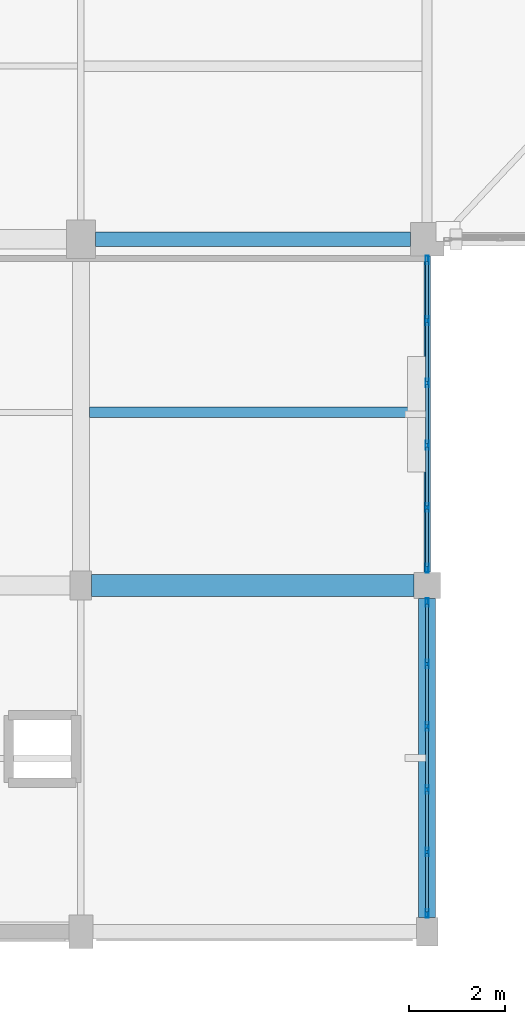
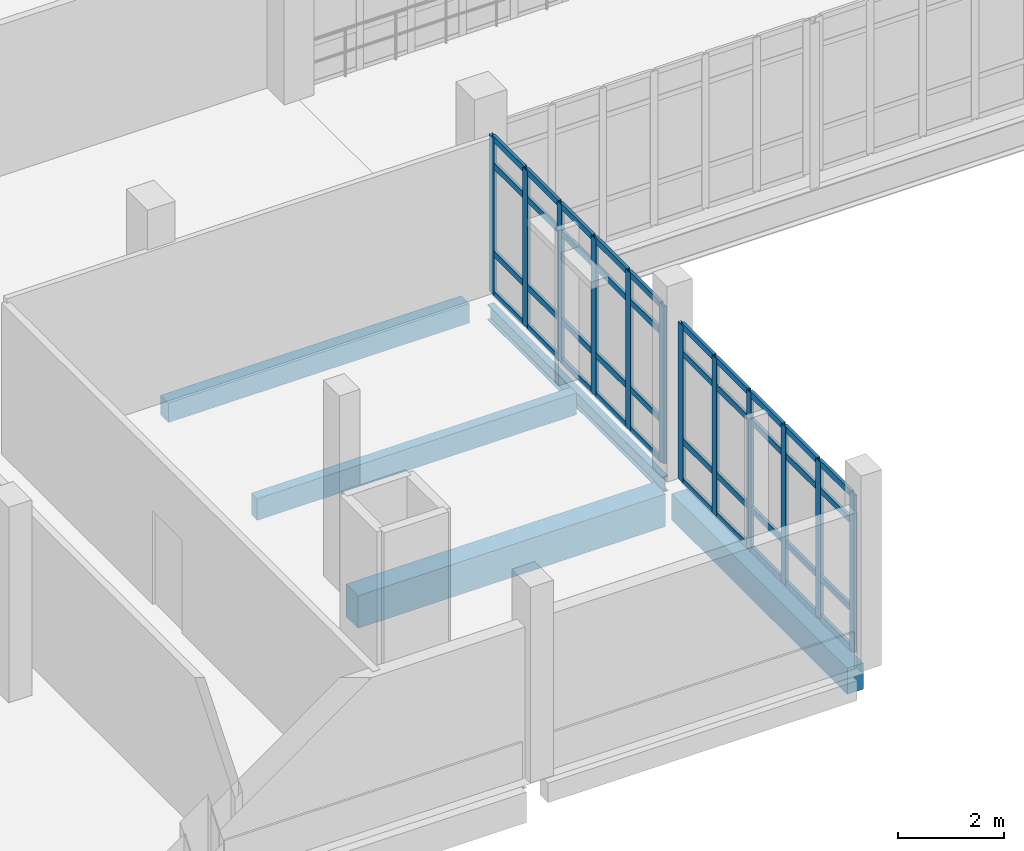
# One storey, part 13 of 116: 52 members, 5 beams, 2 elements without a shape of their own.
"""IFC4 building model written with IfcOpenShell, lengths in metres."""

from ifc_helpers import new_model, si_unit, direction, frame, origin, origin_2d, place, context, subcontext, project, spatial, rectangle, hollow_rectangle, i_section, extrude, material, material_profile, profile_set, type_object, element, aggregate, save


model = new_model("IFC4")

# Units and contexts
model_context = context("Model", 3, precision=1e-05, world=origin(), true_north=direction((0.0, 1.0)))
body_context = subcontext(model_context, "Body", "Model", "MODEL_VIEW")
ifc_project = project(units=[si_unit("LENGTHUNIT", "METRE"), si_unit("AREAUNIT", "SQUARE_METRE"), si_unit("VOLUMEUNIT", "CUBIC_METRE"), si_unit("PLANEANGLEUNIT", "RADIAN"), si_unit("MASSUNIT", "GRAM", prefix="KILO")], contexts=[model_context])

# Site, building, storey
site_placement = place(None, origin())
site = spatial("IfcSite", under=ifc_project, at=site_placement, CompositionType="ELEMENT")
building_placement = place(site_placement, origin())
building = spatial("IfcBuilding", under=site, at=building_placement, Name="Kalluvel Institute of Natural Sciences", CompositionType="ELEMENT")
storey_placement = place(building_placement, frame((0.0, 0.0, 14.39990234375)))
storey = spatial("IfcBuildingStorey", under=building, at=storey_placement, Name="L03", CompositionType="ELEMENT", Elevation=14.39990234375)

# Beams
ifc_material_1 = material(Name="Steel E350 Grade 350", Category="steel")
ifc_material_profile_1 = material_profile(ifc_material_1, i_section(OverallWidth=0.139892578125, OverallDepth=0.35009765625, WebThickness=0.008056640625, FlangeThickness=0.01416015625, FilletRadius=0.013916015625, at=origin_2d()), Name="ISMB 350")
ifc_profile_set_1 = profile_set([ifc_material_profile_1], Name="Steel E350 Grade 350")
beam_type_1 = type_object("IfcBeamType", Name="BM-ISMB350", PredefinedType="BEAM", material=ifc_profile_set_1)
beam_1_placement = place(storey_placement, frame((35.60009765625, 21.47509765625, -0.474853515625), z_axis=(0.0, 1.0, 0.0), x_axis=(-1.0, 0.0, 0.0)))
element("IfcBeam", 1, at=beam_1_placement, inside=storey, type_object=beam_type_1, Name="L03 girder GIR-L03-NS-X356-Y212", PredefinedType="BEAM", context=body_context, shape_type="SweptSolid", body=[
    extrude(i_section(OverallWidth=0.139892578125, OverallDepth=0.35009765625, WebThickness=0.008056640625, FlangeThickness=0.01416015625, FilletRadius=0.013916015625, at=origin_2d()), origin(), (0.0, 0.0, 1.0), 6.574951171875),
])
ifc_material_2 = material(Name="Concrete M40", Category="concrete")
ifc_material_profile_2 = material_profile(ifc_material_2, rectangle(XDim=0.35009765625, YDim=0.60009765625, at=origin_2d()), Name="RCB 350x600")
ifc_profile_set_2 = profile_set([ifc_material_profile_2], Name="Concrete M40")
beam_type_2 = type_object("IfcBeamType", Name="BM-RC350x600", PredefinedType="BEAM", material=ifc_profile_set_2)
beam_2_placement = place(storey_placement, frame((35.60009765625, 14.300048828125, -0.599853515625), z_axis=(0.0, 1.0, 0.0), x_axis=(-1.0, 0.0, 0.0)))
element("IfcBeam", 2, at=beam_2_placement, inside=storey, type_object=beam_type_2, Name="L03 girder GIR-L03-NS-X356-Y140", PredefinedType="BEAM", context=body_context, shape_type="SweptSolid", body=[
    extrude(rectangle(XDim=0.35009765625, YDim=0.60009765625, at=origin_2d()), origin(), (0.0, 0.0, 1.0), 6.625),
])
ifc_material_profile_3 = material_profile(ifc_material_2, rectangle(XDim=0.449951171875, YDim=0.75, at=origin_2d()), Name="RCB 450x750")
ifc_profile_set_3 = profile_set([ifc_material_profile_3], Name="Concrete M40")
beam_type_3 = type_object("IfcBeamType", Name="BM-RC450x750", PredefinedType="BEAM", material=ifc_profile_set_3)
beam_3_placement = place(storey_placement, frame((28.625, 21.199951171875, -0.6748046875), z_axis=(1.0, 0.0, 0.0), x_axis=(0.0, 1.0, 0.0)))
element("IfcBeam", 3, at=beam_3_placement, inside=storey, type_object=beam_type_3, Name="L03 girder GIR-L03-EW-X284-Y212", PredefinedType="BEAM", context=body_context, shape_type="SweptSolid", body=[
    extrude(rectangle(XDim=0.449951171875, YDim=0.75, at=origin_2d()), origin(), (0.0, 0.0, 1.0), 6.699951171875),
])

# Curtain wall, members
ifc_material_3 = material(Name="Aluminium AW-6063 T6", Category="aluminium")
curtain_wall_type = type_object("IfcCurtainWallType", Name="CW-DRY-45", PredefinedType="USERDEFINED", material=ifc_material_3)
curtain_wall_1_placement = place(storey_placement, origin())
curtain_wall_1 = element("IfcCurtainWall", 4, at=curtain_wall_1_placement, inside=storey, type_object=curtain_wall_type, Name="L03 Gothic lancet curtain wall CWA-L03-X356-Y144", ObjectType="UNITISED LANCET FACADE", PredefinedType="USERDEFINED")
ifc_material_profile_4 = material_profile(ifc_material_3, hollow_rectangle(XDim=0.06494140625, YDim=0.179931640625, WallThickness=0.00439453125, at=origin_2d()), Name="CWM 65x180")
ifc_profile_set_4 = profile_set([ifc_material_profile_4], Name="Aluminium AW-6063 T6")
member_type_1 = type_object("IfcMemberType", Name="CWM-65x180", PredefinedType="MULLION", material=ifc_profile_set_4)
member_1_placement = place(storey_placement, frame((35.60009765625, 14.382568359375, 0.0), z_axis=(0.0, 0.0, 1.0), x_axis=(-1.0, 0.0, 0.0)))
member_1 = element("IfcMember", 5, at=member_1_placement, type_object=member_type_1, Name="CW-03 mullion 1", PredefinedType="MULLION", context=body_context, shape_type="SweptSolid", body=[
    extrude(hollow_rectangle(XDim=0.06494140625, YDim=0.179931640625, WallThickness=0.00439453125, at=origin_2d()), origin(), (0.0, 0.0, 1.0), 3.6201171875),
])
member_2_placement = place(storey_placement, frame((35.60009765625, 15.655029296875, 0.0), z_axis=(0.0, 0.0, 1.0), x_axis=(-1.0, 0.0, 0.0)))
member_2 = element("IfcMember", 6, at=member_2_placement, type_object=member_type_1, Name="CW-03 mullion 2", PredefinedType="MULLION", context=body_context, shape_type="SweptSolid", body=[
    extrude(hollow_rectangle(XDim=0.06494140625, YDim=0.179931640625, WallThickness=0.00439453125, at=origin_2d()), origin(), (0.0, 0.0, 1.0), 3.6201171875),
])
member_3_placement = place(storey_placement, frame((35.60009765625, 16.9599609375, 0.0), z_axis=(0.0, 0.0, 1.0), x_axis=(-1.0, 0.0, 0.0)))
member_3 = element("IfcMember", 7, at=member_3_placement, type_object=member_type_1, Name="CW-03 mullion 3", PredefinedType="MULLION", context=body_context, shape_type="SweptSolid", body=[
    extrude(hollow_rectangle(XDim=0.06494140625, YDim=0.179931640625, WallThickness=0.00439453125, at=origin_2d()), origin(), (0.0, 0.0, 1.0), 3.6201171875),
])
member_4_placement = place(storey_placement, frame((35.60009765625, 18.264892578125, 0.0), z_axis=(0.0, 0.0, 1.0), x_axis=(-1.0, 0.0, 0.0)))
member_4 = element("IfcMember", 8, at=member_4_placement, type_object=member_type_1, Name="CW-03 mullion 4", PredefinedType="MULLION", context=body_context, shape_type="SweptSolid", body=[
    extrude(hollow_rectangle(XDim=0.06494140625, YDim=0.179931640625, WallThickness=0.00439453125, at=origin_2d()), origin(), (0.0, 0.0, 1.0), 3.6201171875),
])
member_5_placement = place(storey_placement, frame((35.60009765625, 19.570068359375, 0.0), z_axis=(0.0, 0.0, 1.0), x_axis=(-1.0, 0.0, 0.0)))
member_5 = element("IfcMember", 9, at=member_5_placement, type_object=member_type_1, Name="CW-03 mullion 5", PredefinedType="MULLION", context=body_context, shape_type="SweptSolid", body=[
    extrude(hollow_rectangle(XDim=0.06494140625, YDim=0.179931640625, WallThickness=0.00439453125, at=origin_2d()), origin(), (0.0, 0.0, 1.0), 3.6201171875),
])
member_6_placement = place(storey_placement, frame((35.60009765625, 20.842529296875, 0.0), z_axis=(0.0, 0.0, 1.0), x_axis=(-1.0, 0.0, 0.0)))
member_6 = element("IfcMember", 10, at=member_6_placement, type_object=member_type_1, Name="CW-03 mullion 6", PredefinedType="MULLION", context=body_context, shape_type="SweptSolid", body=[
    extrude(hollow_rectangle(XDim=0.06494140625, YDim=0.179931640625, WallThickness=0.00439453125, at=origin_2d()), origin(), (0.0, 0.0, 1.0), 3.6201171875),
])

curtain_wall_2_placement = place(storey_placement, origin())
curtain_wall_2 = element("IfcCurtainWall", 11, at=curtain_wall_2_placement, inside=storey, type_object=curtain_wall_type, Name="L03 Gothic lancet curtain wall CWA-L03-X356-Y215", ObjectType="UNITISED LANCET FACADE", PredefinedType="USERDEFINED")
member_7_placement = place(storey_placement, frame((35.60009765625, 21.5576171875, 0.0), z_axis=(0.0, 0.0, 1.0), x_axis=(-1.0, 0.0, 0.0)))
member_7 = element("IfcMember", 12, at=member_7_placement, type_object=member_type_1, Name="CW-03 mullion 1", PredefinedType="MULLION", context=body_context, shape_type="SweptSolid", body=[
    extrude(hollow_rectangle(XDim=0.06494140625, YDim=0.179931640625, WallThickness=0.00439453125, at=origin_2d()), origin(), (0.0, 0.0, 1.0), 3.6201171875),
])
member_8_placement = place(storey_placement, frame((35.60009765625, 22.820068359375, 0.0), z_axis=(0.0, 0.0, 1.0), x_axis=(-1.0, 0.0, 0.0)))
member_8 = element("IfcMember", 13, at=member_8_placement, type_object=member_type_1, Name="CW-03 mullion 2", PredefinedType="MULLION", context=body_context, shape_type="SweptSolid", body=[
    extrude(hollow_rectangle(XDim=0.06494140625, YDim=0.179931640625, WallThickness=0.00439453125, at=origin_2d()), origin(), (0.0, 0.0, 1.0), 3.6201171875),
])
member_9_placement = place(storey_placement, frame((35.60009765625, 24.114990234375, 0.0), z_axis=(0.0, 0.0, 1.0), x_axis=(-1.0, 0.0, 0.0)))
member_9 = element("IfcMember", 14, at=member_9_placement, type_object=member_type_1, Name="CW-03 mullion 3", PredefinedType="MULLION", context=body_context, shape_type="SweptSolid", body=[
    extrude(hollow_rectangle(XDim=0.06494140625, YDim=0.179931640625, WallThickness=0.00439453125, at=origin_2d()), origin(), (0.0, 0.0, 1.0), 3.6201171875),
])
member_10_placement = place(storey_placement, frame((35.60009765625, 25.409912109375, 0.0), z_axis=(0.0, 0.0, 1.0), x_axis=(-1.0, 0.0, 0.0)))
member_10 = element("IfcMember", 15, at=member_10_placement, type_object=member_type_1, Name="CW-03 mullion 4", PredefinedType="MULLION", context=body_context, shape_type="SweptSolid", body=[
    extrude(hollow_rectangle(XDim=0.06494140625, YDim=0.179931640625, WallThickness=0.00439453125, at=origin_2d()), origin(), (0.0, 0.0, 1.0), 3.6201171875),
])
member_11_placement = place(storey_placement, frame((35.60009765625, 26.705078125, 0.0), z_axis=(0.0, 0.0, 1.0), x_axis=(-1.0, 0.0, 0.0)))
member_11 = element("IfcMember", 16, at=member_11_placement, type_object=member_type_1, Name="CW-03 mullion 5", PredefinedType="MULLION", context=body_context, shape_type="SweptSolid", body=[
    extrude(hollow_rectangle(XDim=0.06494140625, YDim=0.179931640625, WallThickness=0.00439453125, at=origin_2d()), origin(), (0.0, 0.0, 1.0), 3.6201171875),
])
member_12_placement = place(storey_placement, frame((35.60009765625, 27.967529296875, 0.0), z_axis=(0.0, 0.0, 1.0), x_axis=(-1.0, 0.0, 0.0)))
member_12 = element("IfcMember", 17, at=member_12_placement, type_object=member_type_1, Name="CW-03 mullion 6", PredefinedType="MULLION", context=body_context, shape_type="SweptSolid", body=[
    extrude(hollow_rectangle(XDim=0.06494140625, YDim=0.179931640625, WallThickness=0.00439453125, at=origin_2d()), origin(), (0.0, 0.0, 1.0), 3.6201171875),
])

# Member
ifc_material_profile_5 = material_profile(ifc_material_3, hollow_rectangle(XDim=0.06494140625, YDim=0.139892578125, WallThickness=0.00439453125, at=origin_2d()), Name="CWT 65x140")
ifc_profile_set_5 = profile_set([ifc_material_profile_5], Name="Aluminium AW-6063 T6")
member_type_2 = type_object("IfcMemberType", Name="CWT-65x140", PredefinedType="USERDEFINED", material=ifc_profile_set_5)
member_13_placement = place(storey_placement, frame((35.60009765625, 14.4150390625, 0.03271484375), z_axis=(0.0, 1.0, 0.0), x_axis=(-1.0, 0.0, 0.0)))
member_13 = element("IfcMember", 18, at=member_13_placement, type_object=member_type_2, Name="CW-03 transom 1.1", ObjectType="TRANSOM", PredefinedType="USERDEFINED", context=body_context, shape_type="SweptSolid", body=[
    extrude(hollow_rectangle(XDim=0.06494140625, YDim=0.139892578125, WallThickness=0.00439453125, at=origin_2d()), origin(), (0.0, 0.0, 1.0), 1.20751953125),
])

member_14_placement = place(storey_placement, frame((35.60009765625, 14.4150390625, 0.9501953125), z_axis=(0.0, 1.0, 0.0), x_axis=(-1.0, 0.0, 0.0)))
member_14 = element("IfcMember", 19, at=member_14_placement, type_object=member_type_2, Name="CW-03 transom 1.2", ObjectType="TRANSOM", PredefinedType="USERDEFINED", context=body_context, shape_type="SweptSolid", body=[
    extrude(hollow_rectangle(XDim=0.06494140625, YDim=0.139892578125, WallThickness=0.00439453125, at=origin_2d()), origin(), (0.0, 0.0, 1.0), 1.20751953125),
])

member_15_placement = place(storey_placement, frame((35.60009765625, 14.4150390625, 2.97021484375), z_axis=(0.0, 1.0, 0.0), x_axis=(-1.0, 0.0, 0.0)))
member_15 = element("IfcMember", 20, at=member_15_placement, type_object=member_type_2, Name="CW-03 transom 1.3", ObjectType="TRANSOM", PredefinedType="USERDEFINED", context=body_context, shape_type="SweptSolid", body=[
    extrude(hollow_rectangle(XDim=0.06494140625, YDim=0.139892578125, WallThickness=0.00439453125, at=origin_2d()), origin(), (0.0, 0.0, 1.0), 1.20751953125),
])

member_16_placement = place(storey_placement, frame((35.60009765625, 14.4150390625, 3.587646484375), z_axis=(0.0, 1.0, 0.0), x_axis=(-1.0, 0.0, 0.0)))
member_16 = element("IfcMember", 21, at=member_16_placement, type_object=member_type_2, Name="CW-03 transom 1.4", ObjectType="TRANSOM", PredefinedType="USERDEFINED", context=body_context, shape_type="SweptSolid", body=[
    extrude(hollow_rectangle(XDim=0.06494140625, YDim=0.139892578125, WallThickness=0.00439453125, at=origin_2d()), origin(), (0.0, 0.0, 1.0), 1.20751953125),
])

member_17_placement = place(storey_placement, frame((35.60009765625, 15.6875, 0.03271484375), z_axis=(0.0, 1.0, 0.0), x_axis=(-1.0, 0.0, 0.0)))
member_17 = element("IfcMember", 22, at=member_17_placement, type_object=member_type_2, Name="CW-03 transom 2.1", ObjectType="TRANSOM", PredefinedType="USERDEFINED", context=body_context, shape_type="SweptSolid", body=[
    extrude(hollow_rectangle(XDim=0.06494140625, YDim=0.139892578125, WallThickness=0.00439453125, at=origin_2d()), origin(), (0.0, 0.0, 1.0), 1.239990234375),
])

member_18_placement = place(storey_placement, frame((35.60009765625, 15.6875, 0.9501953125), z_axis=(0.0, 1.0, 0.0), x_axis=(-1.0, 0.0, 0.0)))
member_18 = element("IfcMember", 23, at=member_18_placement, type_object=member_type_2, Name="CW-03 transom 2.2", ObjectType="TRANSOM", PredefinedType="USERDEFINED", context=body_context, shape_type="SweptSolid", body=[
    extrude(hollow_rectangle(XDim=0.06494140625, YDim=0.139892578125, WallThickness=0.00439453125, at=origin_2d()), origin(), (0.0, 0.0, 1.0), 1.239990234375),
])

member_19_placement = place(storey_placement, frame((35.60009765625, 15.6875, 2.97021484375), z_axis=(0.0, 1.0, 0.0), x_axis=(-1.0, 0.0, 0.0)))
member_19 = element("IfcMember", 24, at=member_19_placement, type_object=member_type_2, Name="CW-03 transom 2.3", ObjectType="TRANSOM", PredefinedType="USERDEFINED", context=body_context, shape_type="SweptSolid", body=[
    extrude(hollow_rectangle(XDim=0.06494140625, YDim=0.139892578125, WallThickness=0.00439453125, at=origin_2d()), origin(), (0.0, 0.0, 1.0), 1.239990234375),
])

member_20_placement = place(storey_placement, frame((35.60009765625, 15.6875, 3.587646484375), z_axis=(0.0, 1.0, 0.0), x_axis=(-1.0, 0.0, 0.0)))
member_20 = element("IfcMember", 25, at=member_20_placement, type_object=member_type_2, Name="CW-03 transom 2.4", ObjectType="TRANSOM", PredefinedType="USERDEFINED", context=body_context, shape_type="SweptSolid", body=[
    extrude(hollow_rectangle(XDim=0.06494140625, YDim=0.139892578125, WallThickness=0.00439453125, at=origin_2d()), origin(), (0.0, 0.0, 1.0), 1.239990234375),
])

member_21_placement = place(storey_placement, frame((35.60009765625, 16.992431640625, 0.03271484375), z_axis=(0.0, 1.0, 0.0), x_axis=(-1.0, 0.0, 0.0)))
member_21 = element("IfcMember", 26, at=member_21_placement, type_object=member_type_2, Name="CW-03 transom 3.1", ObjectType="TRANSOM", PredefinedType="USERDEFINED", context=body_context, shape_type="SweptSolid", body=[
    extrude(hollow_rectangle(XDim=0.06494140625, YDim=0.139892578125, WallThickness=0.00439453125, at=origin_2d()), origin(), (0.0, 0.0, 1.0), 1.239990234375),
])

member_22_placement = place(storey_placement, frame((35.60009765625, 16.992431640625, 0.9501953125), z_axis=(0.0, 1.0, 0.0), x_axis=(-1.0, 0.0, 0.0)))
member_22 = element("IfcMember", 27, at=member_22_placement, type_object=member_type_2, Name="CW-03 transom 3.2", ObjectType="TRANSOM", PredefinedType="USERDEFINED", context=body_context, shape_type="SweptSolid", body=[
    extrude(hollow_rectangle(XDim=0.06494140625, YDim=0.139892578125, WallThickness=0.00439453125, at=origin_2d()), origin(), (0.0, 0.0, 1.0), 1.239990234375),
])

member_23_placement = place(storey_placement, frame((35.60009765625, 16.992431640625, 2.97021484375), z_axis=(0.0, 1.0, 0.0), x_axis=(-1.0, 0.0, 0.0)))
member_23 = element("IfcMember", 28, at=member_23_placement, type_object=member_type_2, Name="CW-03 transom 3.3", ObjectType="TRANSOM", PredefinedType="USERDEFINED", context=body_context, shape_type="SweptSolid", body=[
    extrude(hollow_rectangle(XDim=0.06494140625, YDim=0.139892578125, WallThickness=0.00439453125, at=origin_2d()), origin(), (0.0, 0.0, 1.0), 1.239990234375),
])

member_24_placement = place(storey_placement, frame((35.60009765625, 16.992431640625, 3.587646484375), z_axis=(0.0, 1.0, 0.0), x_axis=(-1.0, 0.0, 0.0)))
member_24 = element("IfcMember", 29, at=member_24_placement, type_object=member_type_2, Name="CW-03 transom 3.4", ObjectType="TRANSOM", PredefinedType="USERDEFINED", context=body_context, shape_type="SweptSolid", body=[
    extrude(hollow_rectangle(XDim=0.06494140625, YDim=0.139892578125, WallThickness=0.00439453125, at=origin_2d()), origin(), (0.0, 0.0, 1.0), 1.239990234375),
])

member_25_placement = place(storey_placement, frame((35.60009765625, 18.297607421875, 0.03271484375), z_axis=(0.0, 1.0, 0.0), x_axis=(-1.0, 0.0, 0.0)))
member_25 = element("IfcMember", 30, at=member_25_placement, type_object=member_type_2, Name="CW-03 transom 4.1", ObjectType="TRANSOM", PredefinedType="USERDEFINED", context=body_context, shape_type="SweptSolid", body=[
    extrude(hollow_rectangle(XDim=0.06494140625, YDim=0.139892578125, WallThickness=0.00439453125, at=origin_2d()), origin(), (0.0, 0.0, 1.0), 1.239990234375),
])

member_26_placement = place(storey_placement, frame((35.60009765625, 18.297607421875, 0.9501953125), z_axis=(0.0, 1.0, 0.0), x_axis=(-1.0, 0.0, 0.0)))
member_26 = element("IfcMember", 31, at=member_26_placement, type_object=member_type_2, Name="CW-03 transom 4.2", ObjectType="TRANSOM", PredefinedType="USERDEFINED", context=body_context, shape_type="SweptSolid", body=[
    extrude(hollow_rectangle(XDim=0.06494140625, YDim=0.139892578125, WallThickness=0.00439453125, at=origin_2d()), origin(), (0.0, 0.0, 1.0), 1.239990234375),
])

member_27_placement = place(storey_placement, frame((35.60009765625, 18.297607421875, 2.97021484375), z_axis=(0.0, 1.0, 0.0), x_axis=(-1.0, 0.0, 0.0)))
member_27 = element("IfcMember", 32, at=member_27_placement, type_object=member_type_2, Name="CW-03 transom 4.3", ObjectType="TRANSOM", PredefinedType="USERDEFINED", context=body_context, shape_type="SweptSolid", body=[
    extrude(hollow_rectangle(XDim=0.06494140625, YDim=0.139892578125, WallThickness=0.00439453125, at=origin_2d()), origin(), (0.0, 0.0, 1.0), 1.239990234375),
])

member_28_placement = place(storey_placement, frame((35.60009765625, 18.297607421875, 3.587646484375), z_axis=(0.0, 1.0, 0.0), x_axis=(-1.0, 0.0, 0.0)))
member_28 = element("IfcMember", 33, at=member_28_placement, type_object=member_type_2, Name="CW-03 transom 4.4", ObjectType="TRANSOM", PredefinedType="USERDEFINED", context=body_context, shape_type="SweptSolid", body=[
    extrude(hollow_rectangle(XDim=0.06494140625, YDim=0.139892578125, WallThickness=0.00439453125, at=origin_2d()), origin(), (0.0, 0.0, 1.0), 1.239990234375),
])

member_29_placement = place(storey_placement, frame((35.60009765625, 19.6025390625, 0.03271484375), z_axis=(0.0, 1.0, 0.0), x_axis=(-1.0, 0.0, 0.0)))
member_29 = element("IfcMember", 34, at=member_29_placement, type_object=member_type_2, Name="CW-03 transom 5.1", ObjectType="TRANSOM", PredefinedType="USERDEFINED", context=body_context, shape_type="SweptSolid", body=[
    extrude(hollow_rectangle(XDim=0.06494140625, YDim=0.139892578125, WallThickness=0.00439453125, at=origin_2d()), origin(), (0.0, 0.0, 1.0), 1.20751953125),
])

member_30_placement = place(storey_placement, frame((35.60009765625, 19.6025390625, 0.9501953125), z_axis=(0.0, 1.0, 0.0), x_axis=(-1.0, 0.0, 0.0)))
member_30 = element("IfcMember", 35, at=member_30_placement, type_object=member_type_2, Name="CW-03 transom 5.2", ObjectType="TRANSOM", PredefinedType="USERDEFINED", context=body_context, shape_type="SweptSolid", body=[
    extrude(hollow_rectangle(XDim=0.06494140625, YDim=0.139892578125, WallThickness=0.00439453125, at=origin_2d()), origin(), (0.0, 0.0, 1.0), 1.20751953125),
])

member_31_placement = place(storey_placement, frame((35.60009765625, 19.6025390625, 2.97021484375), z_axis=(0.0, 1.0, 0.0), x_axis=(-1.0, 0.0, 0.0)))
member_31 = element("IfcMember", 36, at=member_31_placement, type_object=member_type_2, Name="CW-03 transom 5.3", ObjectType="TRANSOM", PredefinedType="USERDEFINED", context=body_context, shape_type="SweptSolid", body=[
    extrude(hollow_rectangle(XDim=0.06494140625, YDim=0.139892578125, WallThickness=0.00439453125, at=origin_2d()), origin(), (0.0, 0.0, 1.0), 1.20751953125),
])

member_32_placement = place(storey_placement, frame((35.60009765625, 19.6025390625, 3.587646484375), z_axis=(0.0, 1.0, 0.0), x_axis=(-1.0, 0.0, 0.0)))
member_32 = element("IfcMember", 37, at=member_32_placement, type_object=member_type_2, Name="CW-03 transom 5.4", ObjectType="TRANSOM", PredefinedType="USERDEFINED", context=body_context, shape_type="SweptSolid", body=[
    extrude(hollow_rectangle(XDim=0.06494140625, YDim=0.139892578125, WallThickness=0.00439453125, at=origin_2d()), origin(), (0.0, 0.0, 1.0), 1.20751953125),
])

aggregate(curtain_wall_1, [member_1, member_2, member_3, member_4, member_5, member_6, member_13, member_14, member_15, member_16, member_17, member_18, member_19, member_20, member_21, member_22, member_23, member_24, member_25, member_26, member_27, member_28, member_29, member_30, member_31, member_32])

member_33_placement = place(storey_placement, frame((35.60009765625, 21.590087890625, 0.03271484375), z_axis=(0.0, 1.0, 0.0), x_axis=(-1.0, 0.0, 0.0)))
member_33 = element("IfcMember", 38, at=member_33_placement, type_object=member_type_2, Name="CW-03 transom 1.1", ObjectType="TRANSOM", PredefinedType="USERDEFINED", context=body_context, shape_type="SweptSolid", body=[
    extrude(hollow_rectangle(XDim=0.06494140625, YDim=0.139892578125, WallThickness=0.00439453125, at=origin_2d()), origin(), (0.0, 0.0, 1.0), 1.197509765625),
])

member_34_placement = place(storey_placement, frame((35.60009765625, 21.590087890625, 0.9501953125), z_axis=(0.0, 1.0, 0.0), x_axis=(-1.0, 0.0, 0.0)))
member_34 = element("IfcMember", 39, at=member_34_placement, type_object=member_type_2, Name="CW-03 transom 1.2", ObjectType="TRANSOM", PredefinedType="USERDEFINED", context=body_context, shape_type="SweptSolid", body=[
    extrude(hollow_rectangle(XDim=0.06494140625, YDim=0.139892578125, WallThickness=0.00439453125, at=origin_2d()), origin(), (0.0, 0.0, 1.0), 1.197509765625),
])

member_35_placement = place(storey_placement, frame((35.60009765625, 21.590087890625, 2.97021484375), z_axis=(0.0, 1.0, 0.0), x_axis=(-1.0, 0.0, 0.0)))
member_35 = element("IfcMember", 40, at=member_35_placement, type_object=member_type_2, Name="CW-03 transom 1.3", ObjectType="TRANSOM", PredefinedType="USERDEFINED", context=body_context, shape_type="SweptSolid", body=[
    extrude(hollow_rectangle(XDim=0.06494140625, YDim=0.139892578125, WallThickness=0.00439453125, at=origin_2d()), origin(), (0.0, 0.0, 1.0), 1.197509765625),
])

member_36_placement = place(storey_placement, frame((35.60009765625, 21.590087890625, 3.587646484375), z_axis=(0.0, 1.0, 0.0), x_axis=(-1.0, 0.0, 0.0)))
member_36 = element("IfcMember", 41, at=member_36_placement, type_object=member_type_2, Name="CW-03 transom 1.4", ObjectType="TRANSOM", PredefinedType="USERDEFINED", context=body_context, shape_type="SweptSolid", body=[
    extrude(hollow_rectangle(XDim=0.06494140625, YDim=0.139892578125, WallThickness=0.00439453125, at=origin_2d()), origin(), (0.0, 0.0, 1.0), 1.197509765625),
])

member_37_placement = place(storey_placement, frame((35.60009765625, 22.8525390625, 0.03271484375), z_axis=(0.0, 1.0, 0.0), x_axis=(-1.0, 0.0, 0.0)))
member_37 = element("IfcMember", 42, at=member_37_placement, type_object=member_type_2, Name="CW-03 transom 2.1", ObjectType="TRANSOM", PredefinedType="USERDEFINED", context=body_context, shape_type="SweptSolid", body=[
    extrude(hollow_rectangle(XDim=0.06494140625, YDim=0.139892578125, WallThickness=0.00439453125, at=origin_2d()), origin(), (0.0, 0.0, 1.0), 1.22998046875),
])

member_38_placement = place(storey_placement, frame((35.60009765625, 22.8525390625, 0.9501953125), z_axis=(0.0, 1.0, 0.0), x_axis=(-1.0, 0.0, 0.0)))
member_38 = element("IfcMember", 43, at=member_38_placement, type_object=member_type_2, Name="CW-03 transom 2.2", ObjectType="TRANSOM", PredefinedType="USERDEFINED", context=body_context, shape_type="SweptSolid", body=[
    extrude(hollow_rectangle(XDim=0.06494140625, YDim=0.139892578125, WallThickness=0.00439453125, at=origin_2d()), origin(), (0.0, 0.0, 1.0), 1.22998046875),
])

member_39_placement = place(storey_placement, frame((35.60009765625, 22.8525390625, 2.97021484375), z_axis=(0.0, 1.0, 0.0), x_axis=(-1.0, 0.0, 0.0)))
member_39 = element("IfcMember", 44, at=member_39_placement, type_object=member_type_2, Name="CW-03 transom 2.3", ObjectType="TRANSOM", PredefinedType="USERDEFINED", context=body_context, shape_type="SweptSolid", body=[
    extrude(hollow_rectangle(XDim=0.06494140625, YDim=0.139892578125, WallThickness=0.00439453125, at=origin_2d()), origin(), (0.0, 0.0, 1.0), 1.22998046875),
])

member_40_placement = place(storey_placement, frame((35.60009765625, 22.8525390625, 3.587646484375), z_axis=(0.0, 1.0, 0.0), x_axis=(-1.0, 0.0, 0.0)))
member_40 = element("IfcMember", 45, at=member_40_placement, type_object=member_type_2, Name="CW-03 transom 2.4", ObjectType="TRANSOM", PredefinedType="USERDEFINED", context=body_context, shape_type="SweptSolid", body=[
    extrude(hollow_rectangle(XDim=0.06494140625, YDim=0.139892578125, WallThickness=0.00439453125, at=origin_2d()), origin(), (0.0, 0.0, 1.0), 1.22998046875),
])

member_41_placement = place(storey_placement, frame((35.60009765625, 24.1474609375, 0.03271484375), z_axis=(0.0, 1.0, 0.0), x_axis=(-1.0, 0.0, 0.0)))
member_41 = element("IfcMember", 46, at=member_41_placement, type_object=member_type_2, Name="CW-03 transom 3.1", ObjectType="TRANSOM", PredefinedType="USERDEFINED", context=body_context, shape_type="SweptSolid", body=[
    extrude(hollow_rectangle(XDim=0.06494140625, YDim=0.139892578125, WallThickness=0.00439453125, at=origin_2d()), origin(), (0.0, 0.0, 1.0), 1.22998046875),
])

member_42_placement = place(storey_placement, frame((35.60009765625, 24.1474609375, 0.9501953125), z_axis=(0.0, 1.0, 0.0), x_axis=(-1.0, 0.0, 0.0)))
member_42 = element("IfcMember", 47, at=member_42_placement, type_object=member_type_2, Name="CW-03 transom 3.2", ObjectType="TRANSOM", PredefinedType="USERDEFINED", context=body_context, shape_type="SweptSolid", body=[
    extrude(hollow_rectangle(XDim=0.06494140625, YDim=0.139892578125, WallThickness=0.00439453125, at=origin_2d()), origin(), (0.0, 0.0, 1.0), 1.22998046875),
])

member_43_placement = place(storey_placement, frame((35.60009765625, 24.1474609375, 2.97021484375), z_axis=(0.0, 1.0, 0.0), x_axis=(-1.0, 0.0, 0.0)))
member_43 = element("IfcMember", 48, at=member_43_placement, type_object=member_type_2, Name="CW-03 transom 3.3", ObjectType="TRANSOM", PredefinedType="USERDEFINED", context=body_context, shape_type="SweptSolid", body=[
    extrude(hollow_rectangle(XDim=0.06494140625, YDim=0.139892578125, WallThickness=0.00439453125, at=origin_2d()), origin(), (0.0, 0.0, 1.0), 1.22998046875),
])

member_44_placement = place(storey_placement, frame((35.60009765625, 24.1474609375, 3.587646484375), z_axis=(0.0, 1.0, 0.0), x_axis=(-1.0, 0.0, 0.0)))
member_44 = element("IfcMember", 49, at=member_44_placement, type_object=member_type_2, Name="CW-03 transom 3.4", ObjectType="TRANSOM", PredefinedType="USERDEFINED", context=body_context, shape_type="SweptSolid", body=[
    extrude(hollow_rectangle(XDim=0.06494140625, YDim=0.139892578125, WallThickness=0.00439453125, at=origin_2d()), origin(), (0.0, 0.0, 1.0), 1.22998046875),
])

member_45_placement = place(storey_placement, frame((35.60009765625, 25.4423828125, 0.03271484375), z_axis=(0.0, 1.0, 0.0), x_axis=(-1.0, 0.0, 0.0)))
member_45 = element("IfcMember", 50, at=member_45_placement, type_object=member_type_2, Name="CW-03 transom 4.1", ObjectType="TRANSOM", PredefinedType="USERDEFINED", context=body_context, shape_type="SweptSolid", body=[
    extrude(hollow_rectangle(XDim=0.06494140625, YDim=0.139892578125, WallThickness=0.00439453125, at=origin_2d()), origin(), (0.0, 0.0, 1.0), 1.230224609375),
])

member_46_placement = place(storey_placement, frame((35.60009765625, 25.4423828125, 0.9501953125), z_axis=(0.0, 1.0, 0.0), x_axis=(-1.0, 0.0, 0.0)))
member_46 = element("IfcMember", 51, at=member_46_placement, type_object=member_type_2, Name="CW-03 transom 4.2", ObjectType="TRANSOM", PredefinedType="USERDEFINED", context=body_context, shape_type="SweptSolid", body=[
    extrude(hollow_rectangle(XDim=0.06494140625, YDim=0.139892578125, WallThickness=0.00439453125, at=origin_2d()), origin(), (0.0, 0.0, 1.0), 1.230224609375),
])

member_47_placement = place(storey_placement, frame((35.60009765625, 25.4423828125, 2.97021484375), z_axis=(0.0, 1.0, 0.0), x_axis=(-1.0, 0.0, 0.0)))
member_47 = element("IfcMember", 52, at=member_47_placement, type_object=member_type_2, Name="CW-03 transom 4.3", ObjectType="TRANSOM", PredefinedType="USERDEFINED", context=body_context, shape_type="SweptSolid", body=[
    extrude(hollow_rectangle(XDim=0.06494140625, YDim=0.139892578125, WallThickness=0.00439453125, at=origin_2d()), origin(), (0.0, 0.0, 1.0), 1.230224609375),
])

member_48_placement = place(storey_placement, frame((35.60009765625, 25.4423828125, 3.587646484375), z_axis=(0.0, 1.0, 0.0), x_axis=(-1.0, 0.0, 0.0)))
member_48 = element("IfcMember", 53, at=member_48_placement, type_object=member_type_2, Name="CW-03 transom 4.4", ObjectType="TRANSOM", PredefinedType="USERDEFINED", context=body_context, shape_type="SweptSolid", body=[
    extrude(hollow_rectangle(XDim=0.06494140625, YDim=0.139892578125, WallThickness=0.00439453125, at=origin_2d()), origin(), (0.0, 0.0, 1.0), 1.230224609375),
])

member_49_placement = place(storey_placement, frame((35.60009765625, 26.737548828125, 0.03271484375), z_axis=(0.0, 1.0, 0.0), x_axis=(-1.0, 0.0, 0.0)))
member_49 = element("IfcMember", 54, at=member_49_placement, type_object=member_type_2, Name="CW-03 transom 5.1", ObjectType="TRANSOM", PredefinedType="USERDEFINED", context=body_context, shape_type="SweptSolid", body=[
    extrude(hollow_rectangle(XDim=0.06494140625, YDim=0.139892578125, WallThickness=0.00439453125, at=origin_2d()), origin(), (0.0, 0.0, 1.0), 1.197509765625),
])

member_50_placement = place(storey_placement, frame((35.60009765625, 26.737548828125, 0.9501953125), z_axis=(0.0, 1.0, 0.0), x_axis=(-1.0, 0.0, 0.0)))
member_50 = element("IfcMember", 55, at=member_50_placement, type_object=member_type_2, Name="CW-03 transom 5.2", ObjectType="TRANSOM", PredefinedType="USERDEFINED", context=body_context, shape_type="SweptSolid", body=[
    extrude(hollow_rectangle(XDim=0.06494140625, YDim=0.139892578125, WallThickness=0.00439453125, at=origin_2d()), origin(), (0.0, 0.0, 1.0), 1.197509765625),
])

member_51_placement = place(storey_placement, frame((35.60009765625, 26.737548828125, 2.97021484375), z_axis=(0.0, 1.0, 0.0), x_axis=(-1.0, 0.0, 0.0)))
member_51 = element("IfcMember", 56, at=member_51_placement, type_object=member_type_2, Name="CW-03 transom 5.3", ObjectType="TRANSOM", PredefinedType="USERDEFINED", context=body_context, shape_type="SweptSolid", body=[
    extrude(hollow_rectangle(XDim=0.06494140625, YDim=0.139892578125, WallThickness=0.00439453125, at=origin_2d()), origin(), (0.0, 0.0, 1.0), 1.197509765625),
])

member_52_placement = place(storey_placement, frame((35.60009765625, 26.737548828125, 3.587646484375), z_axis=(0.0, 1.0, 0.0), x_axis=(-1.0, 0.0, 0.0)))
member_52 = element("IfcMember", 57, at=member_52_placement, type_object=member_type_2, Name="CW-03 transom 5.4", ObjectType="TRANSOM", PredefinedType="USERDEFINED", context=body_context, shape_type="SweptSolid", body=[
    extrude(hollow_rectangle(XDim=0.06494140625, YDim=0.139892578125, WallThickness=0.00439453125, at=origin_2d()), origin(), (0.0, 0.0, 1.0), 1.197509765625),
])

aggregate(curtain_wall_2, [member_7, member_8, member_9, member_10, member_11, member_12, member_33, member_34, member_35, member_36, member_37, member_38, member_39, member_40, member_41, member_42, member_43, member_44, member_45, member_46, member_47, member_48, member_49, member_50, member_51, member_52])

# Beams
ifc_material_profile_6 = material_profile(ifc_material_2, rectangle(XDim=0.300048828125, YDim=0.449951171875, at=origin_2d()), Name="RCB 300x450")
ifc_profile_set_6 = profile_set([ifc_material_profile_6], Name="Concrete M40")
beam_type_4 = type_object("IfcBeamType", Name="SP-RC300x450", PredefinedType="SPANDREL", material=ifc_profile_set_6)
beam_4_placement = place(storey_placement, frame((28.699951171875, 28.39990234375, -0.52490234375), z_axis=(1.0, 0.0, 0.0), x_axis=(0.0, 1.0, 0.0)))
element("IfcBeam", 58, at=beam_4_placement, inside=storey, type_object=beam_type_4, Name="L03 girder GIR-L03-EW-X284-Y284", PredefinedType="SPANDREL", context=body_context, shape_type="SweptSolid", body=[
    extrude(rectangle(XDim=0.300048828125, YDim=0.449951171875, at=origin_2d()), origin(), (0.0, 0.0, 1.0), 6.550048828125),
])
ifc_material_profile_7 = material_profile(ifc_material_2, rectangle(XDim=0.219970703125, YDim=0.5, at=origin_2d()), Name="WAF 220x500")
ifc_profile_set_7 = profile_set([ifc_material_profile_7], Name="Concrete M40")
beam_type_5 = type_object("IfcBeamType", Name="WJ-220x500", PredefinedType="JOIST", material=ifc_profile_set_7)
beam_5_placement = place(storey_placement, frame((28.574951171875, 24.800048828125, -0.5498046875), z_axis=(1.0, 0.0, 0.0), x_axis=(0.0, 1.0, 0.0)))
element("IfcBeam", 59, at=beam_5_placement, inside=storey, type_object=beam_type_5, Name="L03 floor rib RIB-L03-0684", PredefinedType="JOIST", context=body_context, shape_type="SweptSolid", body=[
    extrude(rectangle(XDim=0.219970703125, YDim=0.5, at=origin_2d()), origin(), (0.0, 0.0, 1.0), 6.955078125),
])

save(model, "model.ifc")
